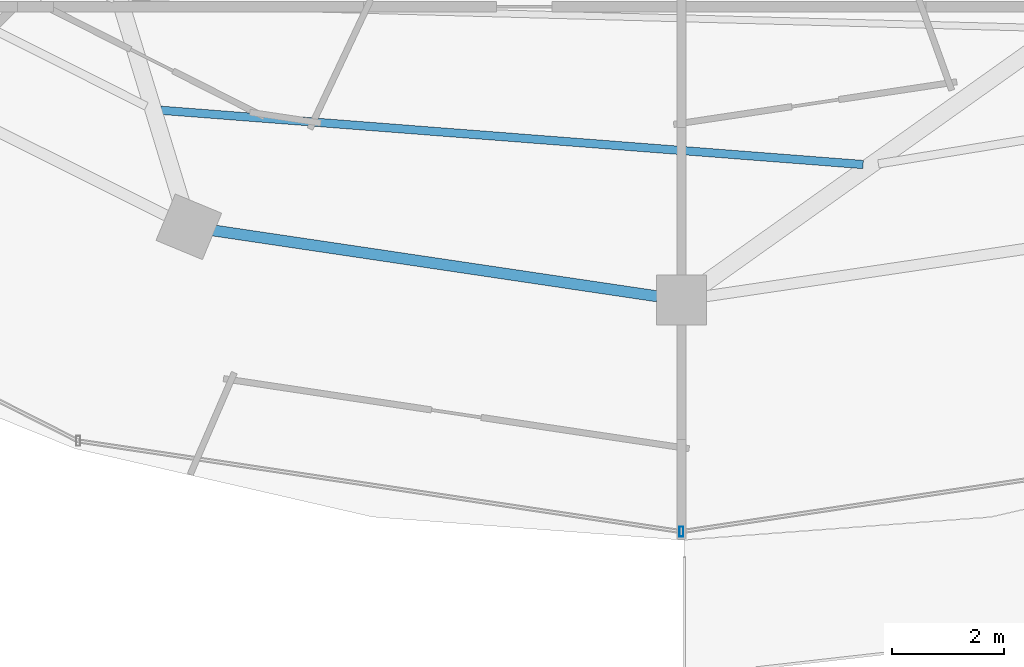
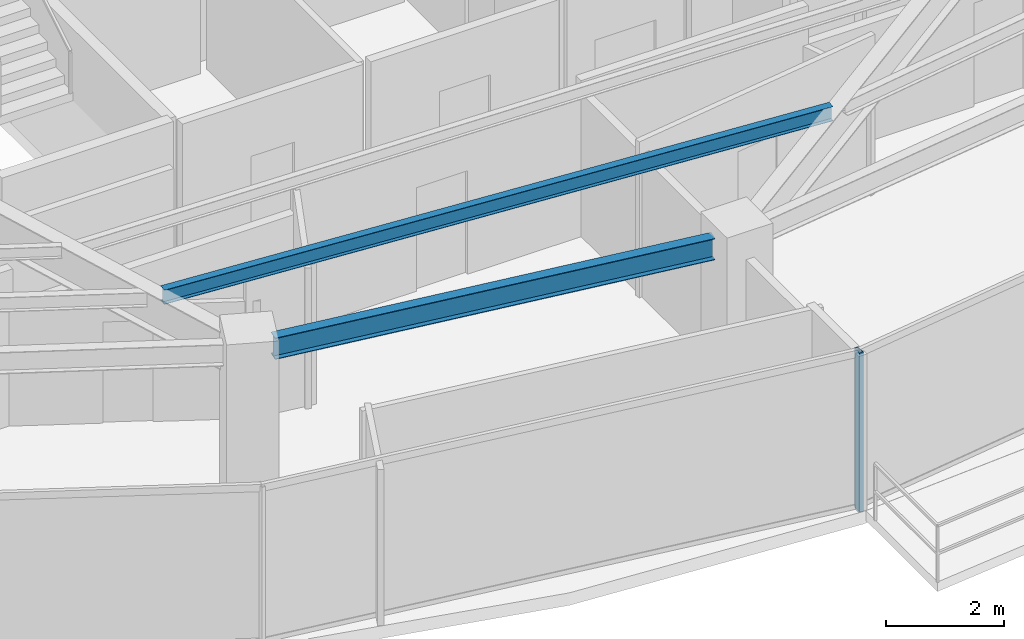
# One storey, part 5 of 33: 2 beams, 1 member, 1 element without a shape of its own.
"""IFC4 building model written with IfcOpenShell, lengths in metres."""

from ifc_helpers import new_model, si_unit, direction, frame, origin, origin_2d, place, context, subcontext, project, spatial, hollow_rectangle, i_section, extrude, material, material_profile, profile_set, type_object, element, aggregate, save


model = new_model("IFC4")

# Units and contexts
model_context = context("Model", 3, precision=1e-05, world=origin(), true_north=direction((0.0, 1.0)))
body_context = subcontext(model_context, "Body", "Model", "MODEL_VIEW")
ifc_project = project(units=[si_unit("LENGTHUNIT", "METRE"), si_unit("AREAUNIT", "SQUARE_METRE"), si_unit("VOLUMEUNIT", "CUBIC_METRE"), si_unit("PLANEANGLEUNIT", "RADIAN"), si_unit("MASSUNIT", "GRAM", prefix="KILO")], contexts=[model_context])

# Site, building, storey
site_placement = place(None, origin())
site = spatial("IfcSite", under=ifc_project, at=site_placement, CompositionType="ELEMENT")
building_placement = place(site_placement, origin())
building = spatial("IfcBuilding", under=site, at=building_placement, Name="Vorneva Point Tower", CompositionType="ELEMENT")
storey_placement = place(building_placement, frame((0.0, 0.0, 189.60009765625)))
storey = spatial("IfcBuildingStorey", under=building, at=storey_placement, Name="L51", CompositionType="ELEMENT", Elevation=189.60009765625)

# Beams
ifc_material_1 = material(Name="Steel S355", Category="steel")
ifc_material_profile_1 = material_profile(ifc_material_1, i_section(OverallWidth=0.14892578125, OverallDepth=0.298095703125, WebThickness=0.005615234375, FlangeThickness=0.008056640625, at=origin_2d()), Name="30B1")
ifc_profile_set_1 = profile_set([ifc_material_profile_1], Name="Steel S355")
beam_type_1 = type_object("IfcBeamType", Name="BM-JST-30B1", PredefinedType="JOIST", material=ifc_profile_set_1)
beam_1_placement = place(storey_placement, frame((28.678466796875, 12.196533203125, 3.0908203125), z_axis=(0.997025265707, -0.077075414639, 0.0), x_axis=(0.077075414639, 0.997025265707, 0.0)))
element("IfcBeam", 1, at=beam_1_placement, inside=storey, type_object=beam_type_1, Name="L51 Secondary Floor Beam 1.12", PredefinedType="JOIST", context=body_context, shape_type="SweptSolid", body=[
    extrude(i_section(OverallWidth=0.14892578125, OverallDepth=0.298095703125, WebThickness=0.005615234375, FlangeThickness=0.008056640625, at=origin_2d()), origin(), (0.0, 0.0, 1.0), 12.61328125),
])
ifc_material_profile_2 = material_profile(ifc_material_1, i_section(OverallWidth=0.198974609375, OverallDepth=0.446044921875, WebThickness=0.008056640625, FlangeThickness=0.011962890625, at=origin_2d()), Name="45B1")
ifc_profile_set_2 = profile_set([ifc_material_profile_2], Name="Steel S355")
beam_type_2 = type_object("IfcBeamType", Name="BM-SPN-45B1", PredefinedType="SPANDREL", material=ifc_profile_set_2)
beam_2_placement = place(storey_placement, frame((29.609375, 10.04541015625, 3.016845703125), z_axis=(0.989165476332, -0.146804837907, 0.0), x_axis=(0.146804837907, 0.989165476332, 0.0)))
element("IfcBeam", 2, at=beam_2_placement, inside=storey, type_object=beam_type_2, Name="L51 Perimeter Spandrel Ring Beam 12", PredefinedType="SPANDREL", context=body_context, shape_type="SweptSolid", body=[
    extrude(i_section(OverallWidth=0.198974609375, OverallDepth=0.446044921875, WebThickness=0.008056640625, FlangeThickness=0.011962890625, at=origin_2d()), origin(), (0.0, 0.0, 1.0), 8.04736328125),
])

# Curtain wall, member
ifc_material_2 = material(Name="Pale anodised aluminium", Category="aluminium")
curtain_wall_type = type_object("IfcCurtainWallType", Name="CW-RES-SYS", PredefinedType="NOTDEFINED", material=ifc_material_2)
curtain_wall_placement = place(storey_placement, origin())
curtain_wall = element("IfcCurtainWall", 3, at=curtain_wall_placement, inside=storey, type_object=curtain_wall_type, Name="L51 Unitised Curtain Wall CW-L51-R04", PredefinedType="NOTDEFINED")
ifc_material_profile_3 = material_profile(ifc_material_2, hollow_rectangle(XDim=0.074951171875, YDim=0.179931640625, WallThickness=0.00390625, at=origin_2d()), Name="AL-MUL 180x75x4")
ifc_profile_set_3 = profile_set([ifc_material_profile_3], Name="Pale anodised aluminium")
member_type = type_object("IfcMemberType", Name="CW-MUL-180", PredefinedType="MULLION", material=ifc_profile_set_3)
member_placement = place(storey_placement, frame((38.0, 4.64990234375, -0.0400390625), z_axis=(0.0, 0.0, 1.0), x_axis=(1.0, 0.0, 0.0)))
member = element("IfcMember", 4, at=member_placement, type_object=member_type, Name="CW-L51-R04 Mullion 03", PredefinedType="MULLION", context=body_context, shape_type="SweptSolid", body=[
    extrude(hollow_rectangle(XDim=0.074951171875, YDim=0.179931640625, WallThickness=0.00390625, at=origin_2d()), origin(), (0.0, 0.0, 1.0), 3.31005859375),
])
aggregate(curtain_wall, [member])

save(model, "model.ifc")
